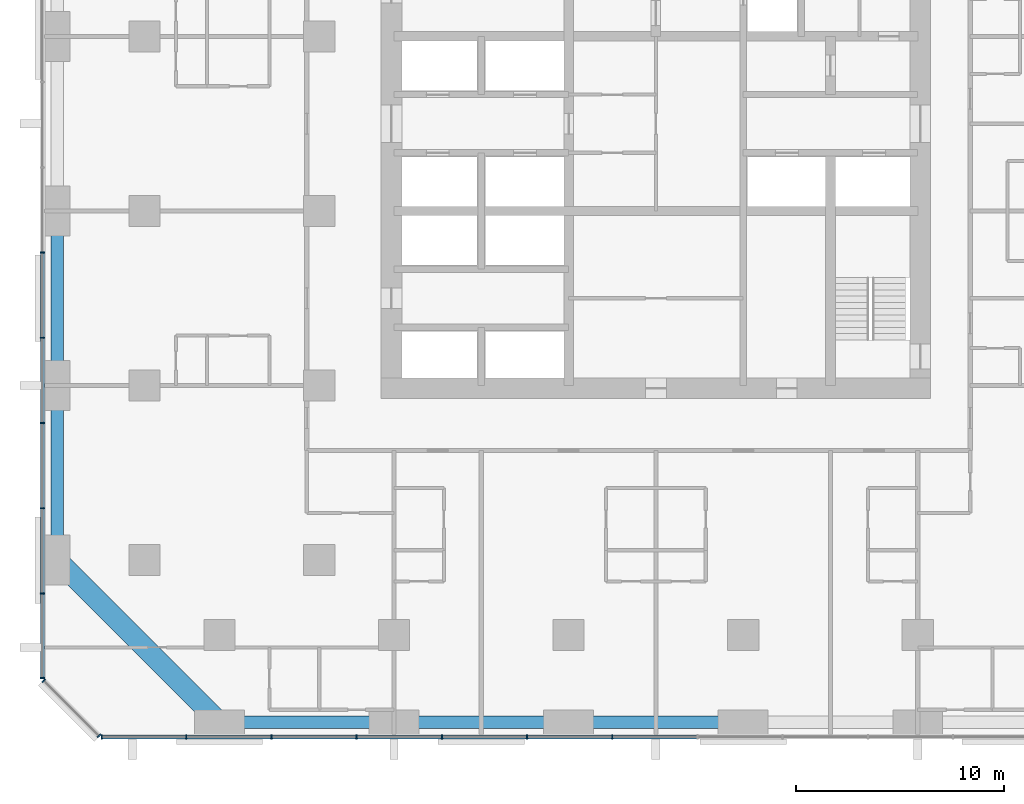
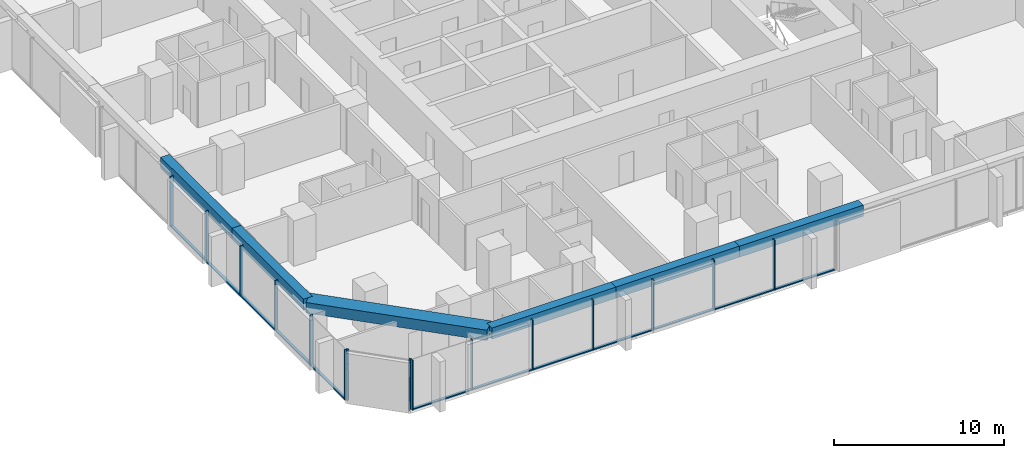
# One storey, part 2 of 14: 27 members, 6 beams, 3 elements without a shape of their own.
"""IFC4 building model written with IfcOpenShell, lengths in metres."""

from ifc_helpers import new_model, si_unit, direction, frame, origin, origin_2d, place, context, subcontext, project, spatial, rectangle, extrude, material, material_profile, profile_set, type_object, element, aggregate, save


model = new_model("IFC4")

# Units and contexts
model_context = context("Model", 3, precision=1e-05, world=origin(), true_north=direction((0.0, 1.0)))
body_context = subcontext(model_context, "Body", "Model", "MODEL_VIEW")
ifc_project = project(units=[si_unit("LENGTHUNIT", "METRE"), si_unit("AREAUNIT", "SQUARE_METRE"), si_unit("VOLUMEUNIT", "CUBIC_METRE"), si_unit("PLANEANGLEUNIT", "RADIAN"), si_unit("MASSUNIT", "GRAM", prefix="KILO")], contexts=[model_context])

# Site, building, storey
site_placement = place(None, origin())
site = spatial("IfcSite", under=ifc_project, at=site_placement, CompositionType="ELEMENT")
building_placement = place(site_placement, origin())
building = spatial("IfcBuilding", under=site, at=building_placement, Name="Dunama Terrace Hotel", CompositionType="ELEMENT")
storey_placement = place(building_placement, frame((0.0, 0.0, 122.39990234375)))
storey = spatial("IfcBuildingStorey", under=building, at=storey_placement, Name="L31", CompositionType="ELEMENT", Elevation=122.39990234375)

# Curtain wall, members
ifc_material_1 = material(Name="Aluminium curtain wall system", Category="aluminium")
curtain_wall_type = type_object("IfcCurtainWallType", Name="Unitised fritted glass wall CW-B", PredefinedType="NOTDEFINED", material=ifc_material_1)
curtain_wall_1_placement = place(storey_placement, origin())
curtain_wall_1 = element("IfcCurtainWall", 1, at=curtain_wall_1_placement, inside=storey, type_object=curtain_wall_type, Name="Unitised fritted glass wall CW-B L31", PredefinedType="NOTDEFINED")
ifc_material_2 = material(Name="Aluminium mullion", Category="aluminium")
ifc_material_profile_1 = material_profile(ifc_material_2, rectangle(XDim=0.06494140625, YDim=0.219970703125, at=origin_2d()), Name="CWB MULLION 65X220")
ifc_profile_set_1 = profile_set([ifc_material_profile_1], Name="Aluminium mullion")
member_type_1 = type_object("IfcMemberType", Name="CWB mullion 65x220", PredefinedType="MULLION", material=ifc_profile_set_1)
member_1_placement = place(storey_placement, frame((2.73291015625, -0.110107421875, 0.0), z_axis=(0.0, 0.0, 1.0), x_axis=(1.0, 0.0, 0.0)))
member_1 = element("IfcMember", 2, at=member_1_placement, type_object=member_type_1, Name="CWB mullion", PredefinedType="MULLION", context=body_context, shape_type="SweptSolid", body=[
    extrude(rectangle(XDim=0.06494140625, YDim=0.219970703125, at=origin_2d()), origin(), (0.0, 0.0, 1.0), 3.60009765625),
])
member_2_placement = place(storey_placement, frame((6.800048828125, -0.110107421875, 0.0), z_axis=(0.0, 0.0, 1.0), x_axis=(1.0, 0.0, 0.0)))
member_2 = element("IfcMember", 3, at=member_2_placement, type_object=member_type_1, Name="CWB mullion", PredefinedType="MULLION", context=body_context, shape_type="SweptSolid", body=[
    extrude(rectangle(XDim=0.06494140625, YDim=0.219970703125, at=origin_2d()), origin(), (0.0, 0.0, 1.0), 3.60009765625),
])
member_3_placement = place(storey_placement, frame((10.89990234375, -0.110107421875, 0.0), z_axis=(0.0, 0.0, 1.0), x_axis=(1.0, 0.0, 0.0)))
member_3 = element("IfcMember", 4, at=member_3_placement, type_object=member_type_1, Name="CWB mullion", PredefinedType="MULLION", context=body_context, shape_type="SweptSolid", body=[
    extrude(rectangle(XDim=0.06494140625, YDim=0.219970703125, at=origin_2d()), origin(), (0.0, 0.0, 1.0), 3.60009765625),
])
member_4_placement = place(storey_placement, frame((15.0, -0.110107421875, 0.0), z_axis=(0.0, 0.0, 1.0), x_axis=(1.0, 0.0, 0.0)))
member_4 = element("IfcMember", 5, at=member_4_placement, type_object=member_type_1, Name="CWB mullion", PredefinedType="MULLION", context=body_context, shape_type="SweptSolid", body=[
    extrude(rectangle(XDim=0.06494140625, YDim=0.219970703125, at=origin_2d()), origin(), (0.0, 0.0, 1.0), 3.60009765625),
])
member_5_placement = place(storey_placement, frame((19.10009765625, -0.110107421875, 0.0), z_axis=(0.0, 0.0, 1.0), x_axis=(1.0, 0.0, 0.0)))
member_5 = element("IfcMember", 6, at=member_5_placement, type_object=member_type_1, Name="CWB mullion", PredefinedType="MULLION", context=body_context, shape_type="SweptSolid", body=[
    extrude(rectangle(XDim=0.06494140625, YDim=0.219970703125, at=origin_2d()), origin(), (0.0, 0.0, 1.0), 3.60009765625),
])
member_6_placement = place(storey_placement, frame((23.199951171875, -0.110107421875, 0.0), z_axis=(0.0, 0.0, 1.0), x_axis=(1.0, 0.0, 0.0)))
member_6 = element("IfcMember", 7, at=member_6_placement, type_object=member_type_1, Name="CWB mullion", PredefinedType="MULLION", context=body_context, shape_type="SweptSolid", body=[
    extrude(rectangle(XDim=0.06494140625, YDim=0.219970703125, at=origin_2d()), origin(), (0.0, 0.0, 1.0), 3.60009765625),
])
member_7_placement = place(storey_placement, frame((27.300048828125, -0.110107421875, 0.0), z_axis=(0.0, 0.0, 1.0), x_axis=(1.0, 0.0, 0.0)))
member_7 = element("IfcMember", 8, at=member_7_placement, type_object=member_type_1, Name="CWB mullion", PredefinedType="MULLION", context=body_context, shape_type="SweptSolid", body=[
    extrude(rectangle(XDim=0.06494140625, YDim=0.219970703125, at=origin_2d()), origin(), (0.0, 0.0, 1.0), 3.60009765625),
])

curtain_wall_2_placement = place(storey_placement, origin())
curtain_wall_2 = element("IfcCurtainWall", 9, at=curtain_wall_2_placement, inside=storey, type_object=curtain_wall_type, Name="Unitised fritted glass wall CW-B L31", PredefinedType="NOTDEFINED")
member_8_placement = place(storey_placement, frame((-0.110107421875, 23.199951171875, 0.0), z_axis=(0.0, 0.0, 1.0), x_axis=(0.0, -1.0, 0.0)))
member_8 = element("IfcMember", 10, at=member_8_placement, type_object=member_type_1, Name="CWB mullion", PredefinedType="MULLION", context=body_context, shape_type="SweptSolid", body=[
    extrude(rectangle(XDim=0.06494140625, YDim=0.219970703125, at=origin_2d()), origin(), (0.0, 0.0, 1.0), 3.60009765625),
])
member_9_placement = place(storey_placement, frame((-0.110107421875, 19.10009765625, 0.0), z_axis=(0.0, 0.0, 1.0), x_axis=(0.0, -1.0, 0.0)))
member_9 = element("IfcMember", 11, at=member_9_placement, type_object=member_type_1, Name="CWB mullion", PredefinedType="MULLION", context=body_context, shape_type="SweptSolid", body=[
    extrude(rectangle(XDim=0.06494140625, YDim=0.219970703125, at=origin_2d()), origin(), (0.0, 0.0, 1.0), 3.60009765625),
])
member_10_placement = place(storey_placement, frame((-0.110107421875, 15.0, 0.0), z_axis=(0.0, 0.0, 1.0), x_axis=(0.0, -1.0, 0.0)))
member_10 = element("IfcMember", 12, at=member_10_placement, type_object=member_type_1, Name="CWB mullion", PredefinedType="MULLION", context=body_context, shape_type="SweptSolid", body=[
    extrude(rectangle(XDim=0.06494140625, YDim=0.219970703125, at=origin_2d()), origin(), (0.0, 0.0, 1.0), 3.60009765625),
])
member_11_placement = place(storey_placement, frame((-0.110107421875, 10.89990234375, 0.0), z_axis=(0.0, 0.0, 1.0), x_axis=(0.0, -1.0, 0.0)))
member_11 = element("IfcMember", 13, at=member_11_placement, type_object=member_type_1, Name="CWB mullion", PredefinedType="MULLION", context=body_context, shape_type="SweptSolid", body=[
    extrude(rectangle(XDim=0.06494140625, YDim=0.219970703125, at=origin_2d()), origin(), (0.0, 0.0, 1.0), 3.60009765625),
])
member_12_placement = place(storey_placement, frame((-0.110107421875, 6.800048828125, 0.0), z_axis=(0.0, 0.0, 1.0), x_axis=(0.0, -1.0, 0.0)))
member_12 = element("IfcMember", 14, at=member_12_placement, type_object=member_type_1, Name="CWB mullion", PredefinedType="MULLION", context=body_context, shape_type="SweptSolid", body=[
    extrude(rectangle(XDim=0.06494140625, YDim=0.219970703125, at=origin_2d()), origin(), (0.0, 0.0, 1.0), 3.60009765625),
])
member_13_placement = place(storey_placement, frame((-0.110107421875, 2.73291015625, 0.0), z_axis=(0.0, 0.0, 1.0), x_axis=(0.0, -1.0, 0.0)))
member_13 = element("IfcMember", 15, at=member_13_placement, type_object=member_type_1, Name="CWB mullion", PredefinedType="MULLION", context=body_context, shape_type="SweptSolid", body=[
    extrude(rectangle(XDim=0.06494140625, YDim=0.219970703125, at=origin_2d()), origin(), (0.0, 0.0, 1.0), 3.60009765625),
])

curtain_wall_3_placement = place(storey_placement, origin())
curtain_wall_3 = element("IfcCurtainWall", 16, at=curtain_wall_3_placement, inside=storey, type_object=curtain_wall_type, Name="Unitised fritted glass wall CW-B L31", PredefinedType="NOTDEFINED")
member_14_placement = place(storey_placement, frame((-0.054931640625, 2.59912109375, 0.0), z_axis=(0.0, 0.0, 1.0), x_axis=(0.707106781187, -0.707106781187, 0.0)))
member_14 = element("IfcMember", 17, at=member_14_placement, type_object=member_type_1, Name="CWB mullion", PredefinedType="MULLION", context=body_context, shape_type="SweptSolid", body=[
    extrude(rectangle(XDim=0.06494140625, YDim=0.219970703125, at=origin_2d()), origin(), (0.0, 0.0, 1.0), 3.60009765625),
])
member_15_placement = place(storey_placement, frame((2.59912109375, -0.054931640625, 0.0), z_axis=(0.0, 0.0, 1.0), x_axis=(0.707106781187, -0.707106781187, 0.0)))
member_15 = element("IfcMember", 18, at=member_15_placement, type_object=member_type_1, Name="CWB mullion", PredefinedType="MULLION", context=body_context, shape_type="SweptSolid", body=[
    extrude(rectangle(XDim=0.06494140625, YDim=0.219970703125, at=origin_2d()), origin(), (0.0, 0.0, 1.0), 3.60009765625),
])
aggregate(curtain_wall_3, [member_14, member_15])

# Member
ifc_material_3 = material(Name="Aluminium transom", Category="aluminium")
ifc_material_profile_2 = material_profile(ifc_material_3, rectangle(XDim=0.179931640625, YDim=0.080078125, at=origin_2d()), Name="CWB TRANSOM 180X80")
ifc_profile_set_2 = profile_set([ifc_material_profile_2], Name="Aluminium transom")
member_type_2 = type_object("IfcMemberType", Name="CWB transom 180x80", PredefinedType="USERDEFINED", material=ifc_profile_set_2)
member_16_placement = place(storey_placement, frame((2.764892578125, -0.110107421875, 0.0400390625), z_axis=(1.0, 0.0, 0.0), x_axis=(0.0, 1.0, 0.0)))
member_16 = element("IfcMember", 19, at=member_16_placement, type_object=member_type_2, Name="CWB transom", ObjectType="TRANSOM", PredefinedType="USERDEFINED", context=body_context, shape_type="SweptSolid", body=[
    extrude(rectangle(XDim=0.179931640625, YDim=0.080078125, at=origin_2d()), origin(), (0.0, 0.0, 1.0), 4.003173828125),
])

member_17_placement = place(storey_placement, frame((6.83203125, -0.110107421875, 0.0400390625), z_axis=(1.0, 0.0, 0.0), x_axis=(0.0, 1.0, 0.0)))
member_17 = element("IfcMember", 20, at=member_17_placement, type_object=member_type_2, Name="CWB transom", ObjectType="TRANSOM", PredefinedType="USERDEFINED", context=body_context, shape_type="SweptSolid", body=[
    extrude(rectangle(XDim=0.179931640625, YDim=0.080078125, at=origin_2d()), origin(), (0.0, 0.0, 1.0), 4.034912109375),
])

member_18_placement = place(storey_placement, frame((10.93310546875, -0.110107421875, 0.0400390625), z_axis=(1.0, 0.0, 0.0), x_axis=(0.0, 1.0, 0.0)))
member_18 = element("IfcMember", 21, at=member_18_placement, type_object=member_type_2, Name="CWB transom", ObjectType="TRANSOM", PredefinedType="USERDEFINED", context=body_context, shape_type="SweptSolid", body=[
    extrude(rectangle(XDim=0.179931640625, YDim=0.080078125, at=origin_2d()), origin(), (0.0, 0.0, 1.0), 4.033935546875),
])

member_19_placement = place(storey_placement, frame((15.031982421875, -0.110107421875, 0.0400390625), z_axis=(1.0, 0.0, 0.0), x_axis=(0.0, 1.0, 0.0)))
member_19 = element("IfcMember", 22, at=member_19_placement, type_object=member_type_2, Name="CWB transom", ObjectType="TRANSOM", PredefinedType="USERDEFINED", context=body_context, shape_type="SweptSolid", body=[
    extrude(rectangle(XDim=0.179931640625, YDim=0.080078125, at=origin_2d()), origin(), (0.0, 0.0, 1.0), 4.034912109375),
])

member_20_placement = place(storey_placement, frame((19.132080078125, -0.110107421875, 0.0400390625), z_axis=(1.0, 0.0, 0.0), x_axis=(0.0, 1.0, 0.0)))
member_20 = element("IfcMember", 23, at=member_20_placement, type_object=member_type_2, Name="CWB transom", ObjectType="TRANSOM", PredefinedType="USERDEFINED", context=body_context, shape_type="SweptSolid", body=[
    extrude(rectangle(XDim=0.179931640625, YDim=0.080078125, at=origin_2d()), origin(), (0.0, 0.0, 1.0), 4.035888671875),
])

member_21_placement = place(storey_placement, frame((23.23193359375, -0.110107421875, 0.0400390625), z_axis=(1.0, 0.0, 0.0), x_axis=(0.0, 1.0, 0.0)))
member_21 = element("IfcMember", 24, at=member_21_placement, type_object=member_type_2, Name="CWB transom", ObjectType="TRANSOM", PredefinedType="USERDEFINED", context=body_context, shape_type="SweptSolid", body=[
    extrude(rectangle(XDim=0.179931640625, YDim=0.080078125, at=origin_2d()), origin(), (0.0, 0.0, 1.0), 4.03515625),
])

member_22_placement = place(storey_placement, frame((27.33203125, -0.110107421875, 0.0400390625), z_axis=(1.0, 0.0, 0.0), x_axis=(0.0, 1.0, 0.0)))
member_22 = element("IfcMember", 25, at=member_22_placement, type_object=member_type_2, Name="CWB transom", ObjectType="TRANSOM", PredefinedType="USERDEFINED", context=body_context, shape_type="SweptSolid", body=[
    extrude(rectangle(XDim=0.179931640625, YDim=0.080078125, at=origin_2d()), origin(), (0.0, 0.0, 1.0), 4.034912109375),
])

aggregate(curtain_wall_1, [member_1, member_2, member_3, member_4, member_5, member_6, member_7, member_16, member_17, member_18, member_19, member_20, member_21, member_22])

member_23_placement = place(storey_placement, frame((-0.110107421875, 23.16796875, 0.0400390625), z_axis=(0.0, -1.0, 0.0), x_axis=(1.0, 0.0, 0.0)))
member_23 = element("IfcMember", 26, at=member_23_placement, type_object=member_type_2, Name="CWB transom", ObjectType="TRANSOM", PredefinedType="USERDEFINED", context=body_context, shape_type="SweptSolid", body=[
    extrude(rectangle(XDim=0.179931640625, YDim=0.080078125, at=origin_2d()), origin(), (0.0, 0.0, 1.0), 4.034912109375),
])

member_24_placement = place(storey_placement, frame((-0.110107421875, 19.068115234375, 0.0400390625), z_axis=(0.0, -1.0, 0.0), x_axis=(1.0, 0.0, 0.0)))
member_24 = element("IfcMember", 27, at=member_24_placement, type_object=member_type_2, Name="CWB transom", ObjectType="TRANSOM", PredefinedType="USERDEFINED", context=body_context, shape_type="SweptSolid", body=[
    extrude(rectangle(XDim=0.179931640625, YDim=0.080078125, at=origin_2d()), origin(), (0.0, 0.0, 1.0), 4.0361328125),
])

member_25_placement = place(storey_placement, frame((-0.110107421875, 14.968017578125, 0.0400390625), z_axis=(0.0, -1.0, 0.0), x_axis=(1.0, 0.0, 0.0)))
member_25 = element("IfcMember", 28, at=member_25_placement, type_object=member_type_2, Name="CWB transom", ObjectType="TRANSOM", PredefinedType="USERDEFINED", context=body_context, shape_type="SweptSolid", body=[
    extrude(rectangle(XDim=0.179931640625, YDim=0.080078125, at=origin_2d()), origin(), (0.0, 0.0, 1.0), 4.0361328125),
])

member_26_placement = place(storey_placement, frame((-0.110107421875, 10.866943359375, 0.0400390625), z_axis=(0.0, -1.0, 0.0), x_axis=(1.0, 0.0, 0.0)))
member_26 = element("IfcMember", 29, at=member_26_placement, type_object=member_type_2, Name="CWB transom", ObjectType="TRANSOM", PredefinedType="USERDEFINED", context=body_context, shape_type="SweptSolid", body=[
    extrude(rectangle(XDim=0.179931640625, YDim=0.080078125, at=origin_2d()), origin(), (0.0, 0.0, 1.0), 4.033935546875),
])

member_27_placement = place(storey_placement, frame((-0.110107421875, 6.76806640625, 0.0400390625), z_axis=(0.0, -1.0, 0.0), x_axis=(1.0, 0.0, 0.0)))
member_27 = element("IfcMember", 30, at=member_27_placement, type_object=member_type_2, Name="CWB transom", ObjectType="TRANSOM", PredefinedType="USERDEFINED", context=body_context, shape_type="SweptSolid", body=[
    extrude(rectangle(XDim=0.179931640625, YDim=0.080078125, at=origin_2d()), origin(), (0.0, 0.0, 1.0), 4.003173828125),
])

aggregate(curtain_wall_2, [member_8, member_9, member_10, member_11, member_12, member_13, member_23, member_24, member_25, member_26, member_27])

# Beams
ifc_material_4 = material(Name="Concrete C50/60", Category="concrete")
ifc_material_profile_3 = material_profile(ifc_material_4, rectangle(XDim=1.0, YDim=0.75, at=origin_2d()), Name="RC 1000x750")
ifc_profile_set_3 = profile_set([ifc_material_profile_3], Name="Concrete C50/60")
beam_type_1 = type_object("IfcBeamType", Name="Edge beam RC 1000x750", PredefinedType="SPANDREL", material=ifc_profile_set_3)
beam_1_placement = place(storey_placement, frame((8.39990234375, 0.60009765625, 3.22509765625), z_axis=(-0.707106781187, 0.707106781187, 0.0), x_axis=(-0.707106781187, -0.707106781187, 0.0)))
element("IfcBeam", 31, at=beam_1_placement, inside=storey, type_object=beam_type_1, Name="Corner edge beam under L32", PredefinedType="SPANDREL", context=body_context, shape_type="SweptSolid", body=[
    extrude(rectangle(XDim=1.0, YDim=0.75, at=origin_2d()), origin(), (0.0, 0.0, 1.0), 11.030517578125),
])
ifc_material_5 = material(Name="Concrete C40/50", Category="concrete")
ifc_material_profile_4 = material_profile(ifc_material_5, rectangle(XDim=0.60009765625, YDim=0.800048828125, at=origin_2d()), Name="RC 600x800")
ifc_profile_set_4 = profile_set([ifc_material_profile_4], Name="Concrete C40/50")
beam_type_2 = type_object("IfcBeamType", Name="Edge beam RC 600x800", PredefinedType="SPANDREL", material=ifc_profile_set_4)
beam_2_placement = place(storey_placement, frame((0.60009765625, 8.39990234375, 3.2001953125), z_axis=(0.0, 1.0, 0.0), x_axis=(-1.0, 0.0, 0.0)))
element("IfcBeam", 32, at=beam_2_placement, inside=storey, type_object=beam_type_2, Name="Edge beam under L32", PredefinedType="SPANDREL", context=body_context, shape_type="SweptSolid", body=[
    extrude(rectangle(XDim=0.60009765625, YDim=0.800048828125, at=origin_2d()), origin(), (0.0, 0.0, 1.0), 8.400146484375),
])
beam_3_placement = place(storey_placement, frame((0.60009765625, 16.800048828125, 3.2001953125), z_axis=(0.0, 1.0, 0.0), x_axis=(-1.0, 0.0, 0.0)))
element("IfcBeam", 33, at=beam_3_placement, inside=storey, type_object=beam_type_2, Name="Edge beam under L32", PredefinedType="SPANDREL", context=body_context, shape_type="SweptSolid", body=[
    extrude(rectangle(XDim=0.60009765625, YDim=0.800048828125, at=origin_2d()), origin(), (0.0, 0.0, 1.0), 8.39990234375),
])
beam_4_placement = place(storey_placement, frame((8.39990234375, 0.60009765625, 3.2001953125), z_axis=(1.0, 0.0, 0.0), x_axis=(0.0, 1.0, 0.0)))
element("IfcBeam", 34, at=beam_4_placement, inside=storey, type_object=beam_type_2, Name="Edge beam under L32", PredefinedType="SPANDREL", context=body_context, shape_type="SweptSolid", body=[
    extrude(rectangle(XDim=0.60009765625, YDim=0.800048828125, at=origin_2d()), origin(), (0.0, 0.0, 1.0), 8.400146484375),
])
beam_5_placement = place(storey_placement, frame((16.800048828125, 0.60009765625, 3.2001953125), z_axis=(1.0, 0.0, 0.0), x_axis=(0.0, 1.0, 0.0)))
element("IfcBeam", 35, at=beam_5_placement, inside=storey, type_object=beam_type_2, Name="Edge beam under L32", PredefinedType="SPANDREL", context=body_context, shape_type="SweptSolid", body=[
    extrude(rectangle(XDim=0.60009765625, YDim=0.800048828125, at=origin_2d()), origin(), (0.0, 0.0, 1.0), 8.39990234375),
])
beam_6_placement = place(storey_placement, frame((25.199951171875, 0.60009765625, 3.2001953125), z_axis=(1.0, 0.0, 0.0), x_axis=(0.0, 1.0, 0.0)))
element("IfcBeam", 36, at=beam_6_placement, inside=storey, type_object=beam_type_2, Name="Edge beam under L32", PredefinedType="SPANDREL", context=body_context, shape_type="SweptSolid", body=[
    extrude(rectangle(XDim=0.60009765625, YDim=0.800048828125, at=origin_2d()), origin(), (0.0, 0.0, 1.0), 8.400146484375),
])

save(model, "model.ifc")
